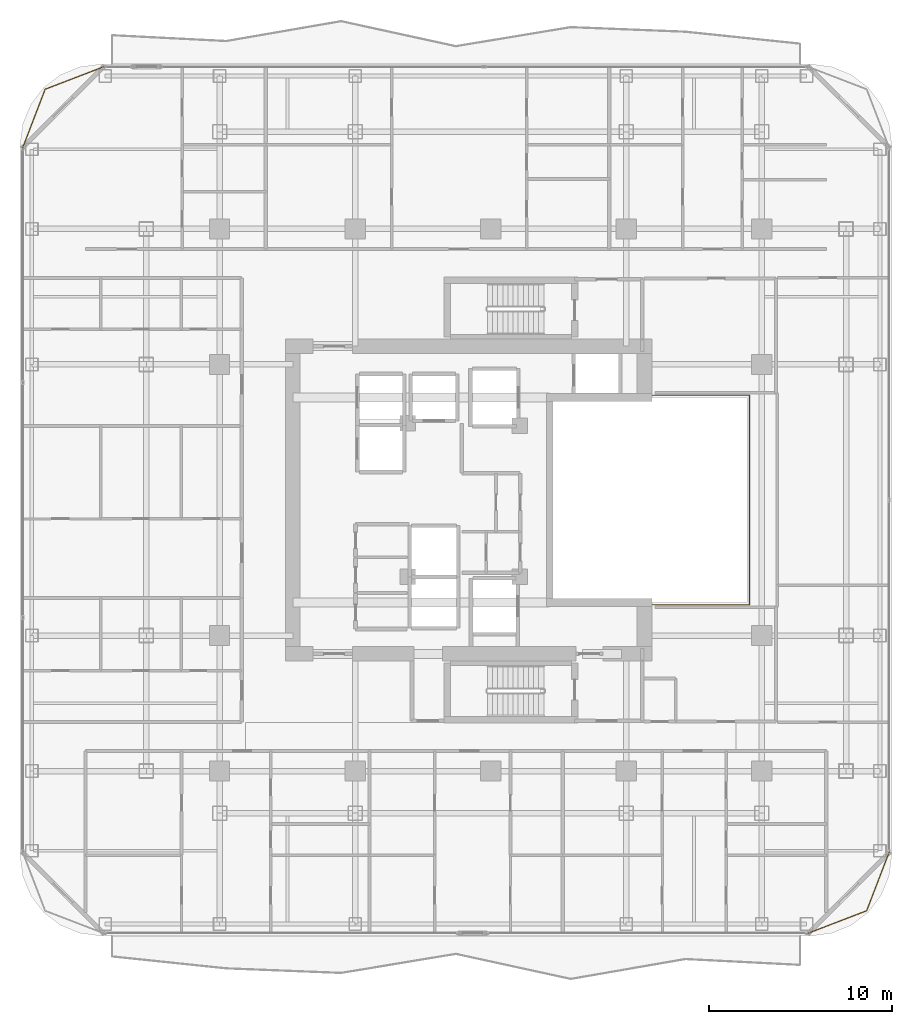
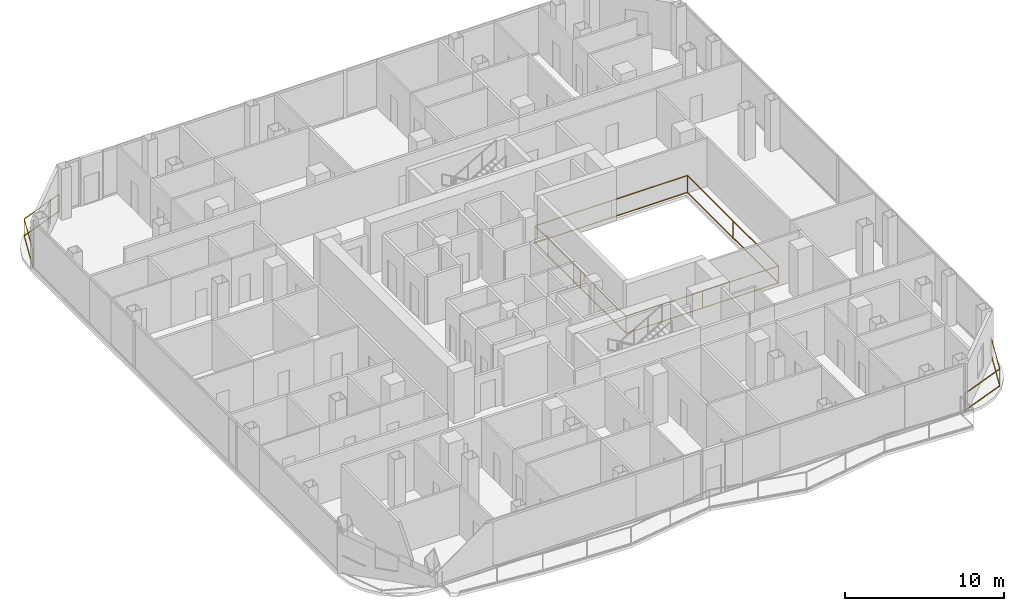
# One storey, part 26 of 27: 3 railings.
"""IFC4 building model written with IfcOpenShell, lengths in metres."""

from ifc_helpers import new_model, si_unit, direction, frame, origin, origin_2d, place, context, subcontext, project, spatial, rectangle, extrude, material, type_object, element, save


model = new_model("IFC4")

# Units and contexts
model_context = context("Model", 3, precision=1e-05, world=origin(), true_north=direction((0.0, 1.0)))
body_context = subcontext(model_context, "Body", "Model", "MODEL_VIEW")
ifc_project = project(units=[si_unit("LENGTHUNIT", "METRE"), si_unit("AREAUNIT", "SQUARE_METRE"), si_unit("VOLUMEUNIT", "CUBIC_METRE"), si_unit("PLANEANGLEUNIT", "RADIAN"), si_unit("MASSUNIT", "GRAM", prefix="KILO")], contexts=[model_context])

# Site, building, storey
site_placement = place(None, origin())
site = spatial("IfcSite", under=ifc_project, at=site_placement, CompositionType="ELEMENT")
building_placement = place(site_placement, origin())
building = spatial("IfcBuilding", under=site, at=building_placement, Name="Khorvyn Point Tower", CompositionType="ELEMENT")
storey_placement = place(building_placement, frame((0.0, 0.0, 179.699951171875)))
storey = spatial("IfcBuildingStorey", under=building, at=storey_placement, Name="L44", CompositionType="ELEMENT", Elevation=179.699951171875)

# Railings
ifc_material_1 = material(Name="Stainless steel 1.4401 and laminated glass", Category="steel")
railing_type_1 = type_object("IfcRailingType", Name="Crystal Atrium Smoke-Rated Perimeter Guardrail 1400", PredefinedType="GUARDRAIL", material=ifc_material_1)
railing_1_placement = place(storey_placement, frame((3.080078125, -5.719970703125, 0.0)))
element("IfcRailing", 1, at=railing_1_placement, inside=storey, type_object=railing_type_1, Name="L44 Crystal Atrium Perimeter Guardrail", PredefinedType="GUARDRAIL", context=body_context, shape_type="SweptSolid", body=[
    extrude(rectangle(XDim=0.048095703125, YDim=0.048095703125, at=origin_2d()), frame((0.0, 0.0, 1.3759765625), z_axis=(1.0, 0.0, 0.0), x_axis=(0.0, 1.0, 0.0)), (0.0, 0.0, 1.0), 11.0400390625),
    extrude(rectangle(XDim=0.048095703125, YDim=0.048095703125, at=origin_2d()), frame((0.0, 0.0, 0.080078125), z_axis=(1.0, 0.0, 0.0), x_axis=(0.0, 1.0, 0.0)), (0.0, 0.0, 1.0), 11.0400390625),
    extrude(rectangle(XDim=0.048095703125, YDim=0.048095703125, at=origin_2d()), frame((11.0400390625, 0.0, 1.3759765625), z_axis=(0.0, 1.0, 0.0), x_axis=(-1.0, 0.0, 0.0)), (0.0, 0.0, 1.0), 11.43994140625),
    extrude(rectangle(XDim=0.048095703125, YDim=0.048095703125, at=origin_2d()), frame((11.0400390625, 0.0, 0.080078125), z_axis=(0.0, 1.0, 0.0), x_axis=(-1.0, 0.0, 0.0)), (0.0, 0.0, 1.0), 11.43994140625),
    extrude(rectangle(XDim=0.048095703125, YDim=0.048095703125, at=origin_2d()), frame((11.0400390625, 11.43994140625, 1.3759765625), z_axis=(-1.0, 0.0, 0.0), x_axis=(0.0, -1.0, 0.0)), (0.0, 0.0, 1.0), 11.0400390625),
    extrude(rectangle(XDim=0.048095703125, YDim=0.048095703125, at=origin_2d()), frame((11.0400390625, 11.43994140625, 0.080078125), z_axis=(-1.0, 0.0, 0.0), x_axis=(0.0, -1.0, 0.0)), (0.0, 0.0, 1.0), 11.0400390625),
    extrude(rectangle(XDim=0.048095703125, YDim=0.048095703125, at=origin_2d()), frame((0.0, 11.43994140625, 1.3759765625), z_axis=(0.0, -1.0, 0.0), x_axis=(1.0, 0.0, 0.0)), (0.0, 0.0, 1.0), 11.409912109375),
    extrude(rectangle(XDim=0.048095703125, YDim=0.048095703125, at=origin_2d()), frame((0.0, 11.43994140625, 0.080078125), z_axis=(0.0, -1.0, 0.0), x_axis=(1.0, 0.0, 0.0)), (0.0, 0.0, 1.0), 11.409912109375),
    extrude(rectangle(XDim=0.0419921875, YDim=0.0419921875, at=origin_2d()), origin(), (0.0, 0.0, 1.0), 1.351806640625),
    extrude(rectangle(XDim=0.0419921875, YDim=0.0419921875, at=origin_2d()), frame((5.52001953125, 0.0, 0.0)), (0.0, 0.0, 1.0), 1.351806640625),
    extrude(rectangle(XDim=0.0419921875, YDim=0.0419921875, at=origin_2d()), frame((11.0400390625, 0.0, 0.0)), (0.0, 0.0, 1.0), 1.351806640625),
    extrude(rectangle(XDim=0.0419921875, YDim=0.0419921875, at=origin_2d()), frame((11.0400390625, 5.719970703125, 0.0)), (0.0, 0.0, 1.0), 1.351806640625),
    extrude(rectangle(XDim=0.0419921875, YDim=0.0419921875, at=origin_2d()), frame((11.0400390625, 11.43994140625, 0.0)), (0.0, 0.0, 1.0), 1.351806640625),
    extrude(rectangle(XDim=0.0419921875, YDim=0.0419921875, at=origin_2d()), frame((5.52001953125, 11.43994140625, 0.0)), (0.0, 0.0, 1.0), 1.351806640625),
    extrude(rectangle(XDim=0.0419921875, YDim=0.0419921875, at=origin_2d()), frame((0.0, 11.43994140625, 0.0)), (0.0, 0.0, 1.0), 1.351806640625),
    extrude(rectangle(XDim=0.0419921875, YDim=0.0419921875, at=origin_2d()), frame((0.0, 5.73486328125, 0.0)), (0.0, 0.0, 1.0), 1.351806640625),
    extrude(rectangle(XDim=0.0419921875, YDim=0.0419921875, at=origin_2d()), frame((0.0, 0.030029296875, 0.0)), (0.0, 0.0, 1.0), 1.351806640625),
])
ifc_material_2 = material(Name="Anodised aluminium 6063-T6 and laminated safety glass", Category="aluminium")
railing_type_2 = type_object("IfcRailingType", Name="Laminated Glass and Aluminium Balcony Guardrail 1400", PredefinedType="BALUSTRADE", material=ifc_material_2)
railing_2_placement = place(storey_placement, frame((-21.075927734375, 23.674072265625, 0.0)))
element("IfcRailing", 2, at=railing_2_placement, inside=storey, type_object=railing_type_2, Name="L44 Rounded Corner Edge Guardrail NW", PredefinedType="BALUSTRADE", context=body_context, shape_type="SweptSolid", body=[
    extrude(rectangle(XDim=0.048095703125, YDim=0.048095703125, at=origin_2d()), frame((0.0, 0.0, 1.3759765625), z_axis=(-0.933598390295, -0.358321148746, 0.0), x_axis=(0.358321148746, -0.933598390295, 0.0)), (0.0, 0.0, 1.0), 3.481689453125),
    extrude(rectangle(XDim=0.048095703125, YDim=0.048095703125, at=origin_2d()), frame((0.0, 0.0, 0.080078125), z_axis=(-0.933598390295, -0.358321148746, 0.0), x_axis=(0.358321148746, -0.933598390295, 0.0)), (0.0, 0.0, 1.0), 3.481689453125),
    extrude(rectangle(XDim=0.048095703125, YDim=0.048095703125, at=origin_2d()), frame((-3.25048828125, -1.24755859375, 1.3759765625), z_axis=(-0.358382264808, -0.933574931257, 0.0), x_axis=(0.933574931257, -0.358382264808, 0.0)), (0.0, 0.0, 1.0), 3.481689453125),
    extrude(rectangle(XDim=0.048095703125, YDim=0.048095703125, at=origin_2d()), frame((-3.25048828125, -1.24755859375, 0.080078125), z_axis=(-0.358382264808, -0.933574931257, 0.0), x_axis=(0.933574931257, -0.358382264808, 0.0)), (0.0, 0.0, 1.0), 3.481689453125),
    extrude(rectangle(XDim=0.0419921875, YDim=0.0419921875, at=origin_2d()), origin(), (0.0, 0.0, 1.0), 1.351806640625),
    extrude(rectangle(XDim=0.0419921875, YDim=0.0419921875, at=origin_2d()), frame((-3.25048828125, -1.24755859375, 0.0)), (0.0, 0.0, 1.0), 1.351806640625),
    extrude(rectangle(XDim=0.0419921875, YDim=0.0419921875, at=origin_2d()), frame((-4.498291015625, -4.498046875, 0.0)), (0.0, 0.0, 1.0), 1.351806640625),
])
railing_3_placement = place(storey_placement, frame((17.27587890625, -23.674072265625, 0.0)))
element("IfcRailing", 3, at=railing_3_placement, inside=storey, type_object=railing_type_2, Name="L44 Rounded Corner Edge Guardrail SE", PredefinedType="BALUSTRADE", context=body_context, shape_type="SweptSolid", body=[
    extrude(rectangle(XDim=0.048095703125, YDim=0.048095703125, at=origin_2d()), frame((0.0, 0.0, 1.3759765625), z_axis=(0.933598390295, 0.358321148746, 0.0), x_axis=(-0.358321148746, 0.933598390295, 0.0)), (0.0, 0.0, 1.0), 3.481689453125),
    extrude(rectangle(XDim=0.048095703125, YDim=0.048095703125, at=origin_2d()), frame((0.0, 0.0, 0.080078125), z_axis=(0.933598390295, 0.358321148746, 0.0), x_axis=(-0.358321148746, 0.933598390295, 0.0)), (0.0, 0.0, 1.0), 3.481689453125),
    extrude(rectangle(XDim=0.048095703125, YDim=0.048095703125, at=origin_2d()), frame((3.25048828125, 1.24755859375, 1.3759765625), z_axis=(0.358382264808, 0.933574931257, 0.0), x_axis=(-0.933574931257, 0.358382264808, 0.0)), (0.0, 0.0, 1.0), 3.481689453125),
    extrude(rectangle(XDim=0.048095703125, YDim=0.048095703125, at=origin_2d()), frame((3.25048828125, 1.24755859375, 0.080078125), z_axis=(0.358382264808, 0.933574931257, 0.0), x_axis=(-0.933574931257, 0.358382264808, 0.0)), (0.0, 0.0, 1.0), 3.481689453125),
    extrude(rectangle(XDim=0.0419921875, YDim=0.0419921875, at=origin_2d()), origin(), (0.0, 0.0, 1.0), 1.351806640625),
    extrude(rectangle(XDim=0.0419921875, YDim=0.0419921875, at=origin_2d()), frame((3.25048828125, 1.24755859375, 0.0)), (0.0, 0.0, 1.0), 1.351806640625),
    extrude(rectangle(XDim=0.0419921875, YDim=0.0419921875, at=origin_2d()), frame((4.498291015625, 4.498046875, 0.0)), (0.0, 0.0, 1.0), 1.351806640625),
])

save(model, "model.ifc")
